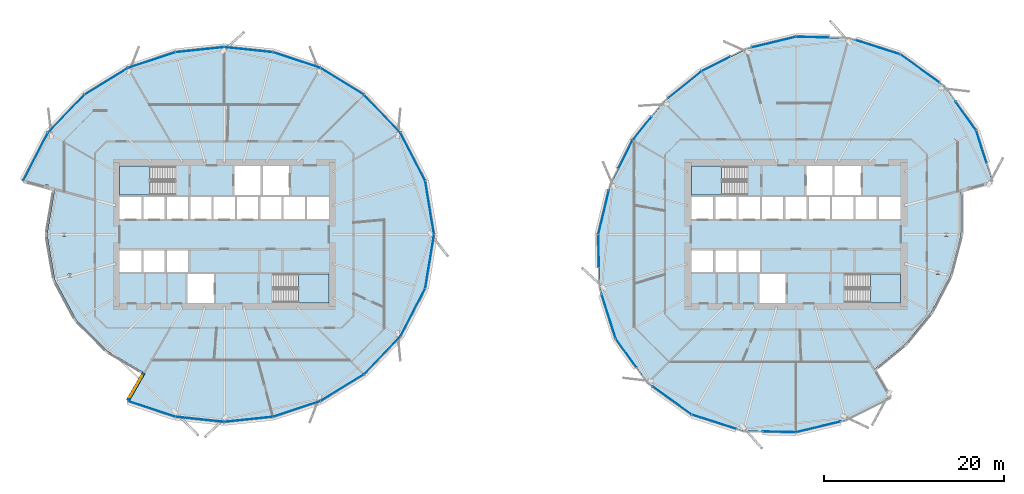
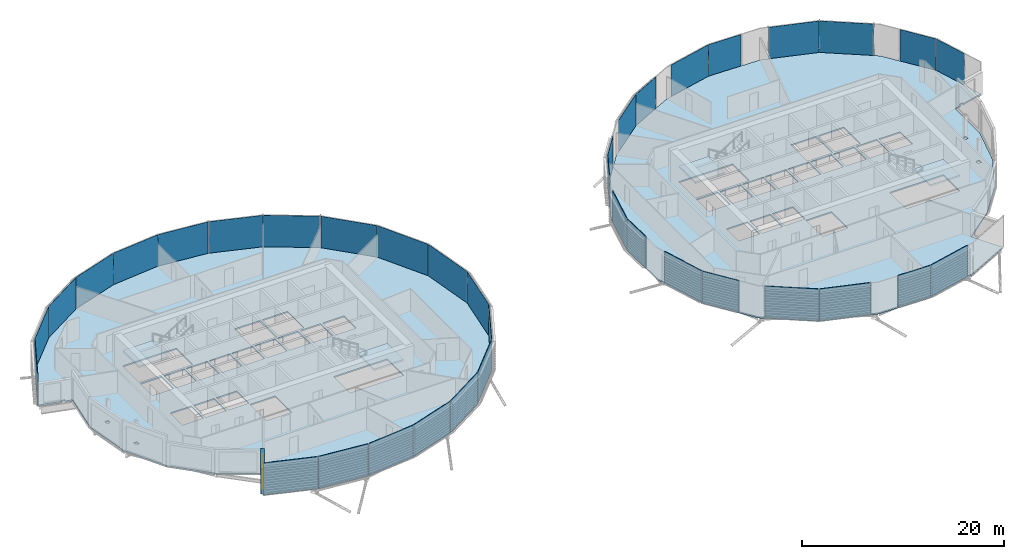
# One storey, part 20 of 39: 37 plates, 6 slabs, 1 wall, 1 window, 1 opening, 6 elements without a shape of their own.
"""IFC4 building model written with IfcOpenShell, lengths in metres."""

import ifcopenshell
import ifcopenshell.guid

model = None  # the IFC model being written
_history = None  # IfcOwnerHistory: only IFC2X3 demands one
_inside = {}  # id of a spatial element -> (the spatial element, [elements in it])
_under = {}  # id of a project, library or spatial element -> (it, [spatial elements below it])
_declared = {}  # id of a project -> (the project, [libraries it declares])
_typed = {}  # id of a type object -> (the type object, [elements of that type])
_made_of = {}  # id of a material, layer set ... -> (it, [elements and type objects made of it])


def new_model(schema):
    """Start an empty IFC model of exactly this schema.

    Asked for "IFC4X3", IfcOpenShell would pick the latest addendum, in which some entities
    have other attributes; the version numbers below select the first issue.
    IFC2X3 requires an IfcOwnerHistory on every rooted entity: one is made here for all.
    """
    global model, _history
    if schema == "IFC4X3":
        model = ifcopenshell.file(schema_version=(4, 3, 0, 0))
    else:
        model = ifcopenshell.file(schema=schema)
    _inside.clear()
    _under.clear()
    _declared.clear()
    _typed.clear()
    _made_of.clear()
    _history = None
    if model.schema == "IFC2X3":
        org = make("IfcOrganization", Name="unknown")
        user = make(
            "IfcPersonAndOrganization",
            ThePerson=make("IfcPerson", FamilyName="unknown"),
            TheOrganization=org,
        )
        app = make(
            "IfcApplication",
            ApplicationDeveloper=org,
            Version="unknown",
            ApplicationFullName="unknown",
            ApplicationIdentifier="unknown",
        )
        _history = make(
            "IfcOwnerHistory",
            OwningUser=user,
            OwningApplication=app,
            ChangeAction="ADDED",
            CreationDate=0,
        )
    return model


def make(cls, **values):
    """One entity of the class cls with the attributes given. An attribute that is None is left unset."""
    return model.create_entity(
        cls, **{name: value for name, value in values.items() if value is not None}
    )


def rooted(cls, **values):
    """An entity with a GlobalId (a new one), such as an element, a storey or a relation."""
    return make(cls, GlobalId=ifcopenshell.guid.new(), OwnerHistory=_history, **values)


def si_unit(unit_type, name, prefix=None):
    """IfcSIUnit, for example si_unit("LENGTHUNIT", "METRE", prefix="MILLI")."""
    return make("IfcSIUnit", UnitType=unit_type, Prefix=prefix, Name=name)


def assignment(units):
    """IfcUnitAssignment: the units of a project."""
    return None if units is None else make("IfcUnitAssignment", Units=units)


def point(xyz):
    """IfcCartesianPoint."""
    return None if xyz is None else make("IfcCartesianPoint", Coordinates=xyz)


def direction(xyz):
    """IfcDirection."""
    return None if xyz is None else make("IfcDirection", DirectionRatios=xyz)


def frame(location, z_axis=None, x_axis=None):
    """IfcAxis2Placement3D, a coordinate frame: its origin and axes. An axis left out is left unset."""
    return make(
        "IfcAxis2Placement3D",
        Location=point(location),
        Axis=direction(z_axis),
        RefDirection=direction(x_axis),
    )


def frame_2d(location, x_axis=None):
    """IfcAxis2Placement2D, a coordinate frame in the plane: its origin and x axis."""
    return make(
        "IfcAxis2Placement2D", Location=point(location), RefDirection=direction(x_axis)
    )


def origin():
    """The frame at (0, 0, 0) with its axes left unset."""
    return frame((0.0, 0.0, 0.0))


def origin_2d():
    """The frame at (0, 0) in the plane with its x axis left unset."""
    return frame_2d((0.0, 0.0))


def place(relative_to, where):
    """IfcLocalPlacement: puts the frame where relative to a parent placement (None: the world)."""
    return make(
        "IfcLocalPlacement", PlacementRelTo=relative_to, RelativePlacement=where
    )


def context(
    kind, dimensions, precision=None, world=None, true_north=None, identifier=None
):
    """IfcGeometricRepresentationContext, for example the 3D "Model" context."""
    return make(
        "IfcGeometricRepresentationContext",
        ContextIdentifier=identifier,
        ContextType=kind,
        CoordinateSpaceDimension=dimensions,
        Precision=precision,
        WorldCoordinateSystem=world,
        TrueNorth=true_north,
    )


def subcontext(parent, identifier, kind, view, scale=None):
    """IfcGeometricRepresentationSubContext, for example "Body" below "Model"."""
    return make(
        "IfcGeometricRepresentationSubContext",
        ContextIdentifier=identifier,
        ContextType=kind,
        ParentContext=parent,
        TargetScale=scale,
        TargetView=view,
    )


def project(units=None, contexts=None):
    """IfcProject with its units and contexts."""
    return rooted(
        "IfcProject",
        Name="project",
        RepresentationContexts=contexts,
        UnitsInContext=assignment(units),
    )


def spatial(cls, under=None, at=None, **own):
    """A site, building, storey or space (cls), placed at a placement, below another one or the project."""
    s = rooted(cls, ObjectPlacement=at, **own)
    if under is not None:
        _under.setdefault(under.id(), (under, []))[1].append(s)
    return s


def polyline(points):
    """IfcPolyline through the points."""
    return make("IfcPolyline", Points=[point(p) for p in points])


def profile(cls, at=None, kind="AREA", **sizes):
    """A parametric profile (cls). Its sizes go by their IFC names, for example OverallWidth=200.0."""
    return make(cls, ProfileType=kind, Position=at, **sizes)


def rectangle(**sizes):
    """IfcRectangleProfileDef."""
    return profile("IfcRectangleProfileDef", **sizes)


def outline(outer, holes=None, kind="AREA"):
    """IfcArbitraryClosedProfileDef: a profile drawn as a closed curve; with holes, ...WithVoids."""
    if holes is None:
        return make("IfcArbitraryClosedProfileDef", ProfileType=kind, OuterCurve=outer)
    return make(
        "IfcArbitraryProfileDefWithVoids",
        ProfileType=kind,
        OuterCurve=outer,
        InnerCurves=holes,
    )


def extrude(swept, where, along, depth):
    """IfcExtrudedAreaSolid: the profile swept, set in the frame where, extruded along a direction by depth."""
    return make(
        "IfcExtrudedAreaSolid",
        SweptArea=swept,
        Position=where,
        ExtrudedDirection=direction(along),
        Depth=depth,
    )


def shape(context_of_items, identifier, shape_type, items):
    """IfcShapeRepresentation: the items that make up one representation, for example the "Body"."""
    return make(
        "IfcShapeRepresentation",
        ContextOfItems=context_of_items,
        RepresentationIdentifier=identifier,
        RepresentationType=shape_type,
        Items=items,
    )


def material(Name=None, Category=None):
    """IfcMaterial."""
    return make("IfcMaterial", Name=Name, Category=Category)


def layer(
    of_material, thickness, ventilated=None, Name=None, Category=None, Priority=None
):
    """IfcMaterialLayer: one layer of a wall or slab, of a material (None: an air gap)."""
    return make(
        "IfcMaterialLayer",
        Material=of_material,
        LayerThickness=thickness,
        IsVentilated=ventilated,
        Name=Name,
        Category=Category,
        Priority=Priority,
    )


def layer_set(layers, Name=None):
    """IfcMaterialLayerSet."""
    return make("IfcMaterialLayerSet", MaterialLayers=layers, LayerSetName=Name)


def made_of(thing, what):
    """Note that an element or type object is made of a material, layer set ...; save() writes the relation."""
    if what is not None:
        _made_of.setdefault(what.id(), (what, []))[1].append(thing)
    return thing


def type_object(cls, material=None, **own):
    """A type object (cls), such as IfcWallType, which elements share."""
    return made_of(rooted(cls, **own), material)


def element(
    cls,
    number,
    at=None,
    inside=None,
    cuts=None,
    type_object=None,
    material=None,
    context=None,
    identifier="Body",
    shape_type=None,
    held_by="IfcProductDefinitionShape",
    body=None,
    shapes=None,
    **own,
):
    """One element of the class cls, such as IfcWall. Its Tag is "e" and its number.

    at: its placement. inside: the storey or other place that contains it. cuts: it is an
    opening in that element (IfcRelVoidsElement). A single representation is given by context,
    identifier, shape_type and body (its items); several are given by shapes. held_by: the class
    of the entity that holds the representations. save() writes the other relations.
    """
    e = rooted(cls, Tag="e%d" % number, ObjectPlacement=at, **own)
    if body is not None:
        shapes = [shape(context, identifier, shape_type, body)]
    if shapes is not None:
        e.Representation = make(held_by, Representations=shapes)
    if inside is not None:
        _inside.setdefault(inside.id(), (inside, []))[1].append(e)
    if cuts is not None:
        rooted(
            "IfcRelVoidsElement", RelatingBuildingElement=cuts, RelatedOpeningElement=e
        )
    if type_object is not None:
        _typed.setdefault(type_object.id(), (type_object, []))[1].append(e)
    return made_of(e, material)


def fill(opening, filler):
    """IfcRelFillsElement: the door or window that sits in an opening."""
    return rooted(
        "IfcRelFillsElement",
        RelatingOpeningElement=opening,
        RelatedBuildingElement=filler,
    )


def aggregate(whole, parts):
    """IfcRelAggregates: a whole, such as a stair, and the parts it consists of."""
    return rooted("IfcRelAggregates", RelatingObject=whole, RelatedObjects=parts)


def save(model, path):
    """Write the relations noted so far, then the file.

    IfcRelAggregates (storeys below a building ...), IfcRelContainedInSpatialStructure (elements
    in a storey), IfcRelDefinesByType, IfcRelAssociatesMaterial and IfcRelDeclares: one each for
    every whole, place, type object, material and project.
    """
    for whole, parts in _under.values():
        aggregate(whole, parts)
    for where, things in _inside.values():
        rooted(
            "IfcRelContainedInSpatialStructure",
            RelatedElements=things,
            RelatingStructure=where,
        )
    for kind, things in _typed.values():
        rooted("IfcRelDefinesByType", RelatedObjects=things, RelatingType=kind)
    for what, things in _made_of.values():
        rooted("IfcRelAssociatesMaterial", RelatedObjects=things, RelatingMaterial=what)
    for by, libraries in _declared.values():
        rooted("IfcRelDeclares", RelatingContext=by, RelatedDefinitions=libraries)
    model.write(path)


model = new_model("IFC4")

# Units and contexts
model_context = context("Model", 3, precision=1e-05, world=origin(), true_north=direction((0.0, 1.0)))
body_context = subcontext(model_context, "Body", "Model", "MODEL_VIEW")
ifc_project = project(units=[si_unit("LENGTHUNIT", "METRE"), si_unit("AREAUNIT", "SQUARE_METRE"), si_unit("VOLUMEUNIT", "CUBIC_METRE"), si_unit("PLANEANGLEUNIT", "RADIAN"), si_unit("MASSUNIT", "GRAM", prefix="KILO")], contexts=[model_context])

# Site, building, storey
site_placement = place(None, origin())
site = spatial("IfcSite", under=ifc_project, at=site_placement, CompositionType="ELEMENT")
building_placement = place(site_placement, origin())
building = spatial("IfcBuilding", under=site, at=building_placement, Name="Rimbun Link Towers", CompositionType="ELEMENT")
storey_placement = place(building_placement, frame((0.0, 0.0, 112.0)))
storey = spatial("IfcBuildingStorey", under=building, at=storey_placement, Name="L27", CompositionType="ELEMENT", Elevation=112.0)

# Slabs
ifc_material_1 = material(Name="Concrete C35/45", Category="concrete")
ifc_layer_1 = layer(ifc_material_1, 0.159912109375)
ifc_layer_set_1 = layer_set([ifc_layer_1], Name="COMPOSITE FLOOR 160")
slab_type_1 = type_object("IfcSlabType", Name="COMPOSITE FLOOR 160", PredefinedType="FLOOR", material=ifc_layer_set_1)
slab_1_placement = place(storey_placement, frame((0.0, 0.0, -0.159912109375)))
element("IfcSlab", 1, at=slab_1_placement, inside=storey, type_object=slab_type_1, Name="Floor slab T1 L27", PredefinedType="FLOOR", context=body_context, shape_type="SweptSolid", body=[
    extrude(outline(polyline([(-54.050048828125, 5.975341796875), (-51.30126953125, 11.287841796875), (-47.256591796875, 15.506591796875), (-42.41796875, 18.4775390625), (-37.167236328125, 20.217529296875), (-31.75, 20.7880859375), (-26.332763671875, 20.217529296875), (-21.08203125, 18.4775390625), (-16.243408203125, 15.506591796875), (-12.19873046875, 11.287841796875), (-9.449951171875, 5.975341796875), (-8.46728515625, 0.0), (-9.449951171875, -5.975341796875), (-12.19873046875, -11.287841796875), (-16.243408203125, -15.506591796875), (-21.08203125, -18.4775390625), (-26.332763671875, -20.217529296875), (-31.75, -20.7880859375), (-37.167236328125, -20.217529296875), (-42.41796875, -18.4775390625), (-40.617919921875, -15.35986328125), (-44.7109375, -12.9609375), (-48.18359375, -9.48779296875), (-50.57275390625, -5.04345703125), (-51.4326171875, 0.0), (-50.57275390625, 5.04345703125), (-51.259033203125, 5.227294921875), (-51.259033203125, 5.477783203125), (-51.658203125, 5.477783203125), (-51.658203125, 5.334228515625), (-54.050048828125, 5.975341796875)]), holes=[polyline([(-48.6826171875, -4.787353515625), (-48.6826171875, -4.393798828125), (-49.081787109375, -4.393798828125), (-49.081787109375, -4.787353515625), (-48.6826171875, -4.787353515625)]), polyline([(-40.95556640625, -4.14990234375), (-40.95556640625, -1.75), (-43.375, -1.75), (-43.375, -4.14990234375), (-40.95556640625, -4.14990234375)]), polyline([(-38.361083984375, -4.14990234375), (-38.361083984375, -1.75), (-40.70556640625, -1.75), (-40.70556640625, -4.14990234375), (-38.361083984375, -4.14990234375)]), polyline([(-38.111083984375, -4.14990234375), (-35.7666015625, -4.14990234375), (-35.7666015625, -1.75), (-38.111083984375, -1.75), (-38.111083984375, -4.14990234375)]), polyline([(-49.70751953125, -0.19677734375), (-49.30859375, -0.19677734375), (-49.30859375, 0.19677734375), (-49.70751953125, 0.19677734375), (-49.70751953125, -0.19677734375)]), polyline([(-40.95556640625, 1.75), (-40.95556640625, 4.14990234375), (-43.375, 4.14990234375), (-43.375, 1.75), (-40.95556640625, 1.75)]), polyline([(-38.361083984375, 1.75), (-38.361083984375, 4.14990234375), (-40.70556640625, 4.14990234375), (-40.70556640625, 1.75), (-38.361083984375, 1.75)]), polyline([(-35.7666015625, 1.75), (-35.7666015625, 4.14990234375), (-38.111083984375, 4.14990234375), (-38.111083984375, 1.75), (-35.7666015625, 1.75)]), polyline([(-43.375, 4.39990234375), (-37.260009765625, 4.39990234375), (-37.260009765625, 7.625), (-43.375, 7.625), (-43.375, 4.39990234375)]), polyline([(-32.89990234375, -7.625), (-32.89990234375, -4.39990234375), (-35.800048828125, -4.39990234375), (-35.800048828125, -7.625), (-32.89990234375, -7.625)]), polyline([(-20.125, -7.625), (-20.125, -4.39990234375), (-26.239990234375, -4.39990234375), (-26.239990234375, -7.625), (-20.125, -7.625)]), polyline([(-33.172119140625, 1.75), (-33.172119140625, 4.14990234375), (-35.5166015625, 4.14990234375), (-35.5166015625, 1.75), (-33.172119140625, 1.75)]), polyline([(-32.922119140625, 1.75), (-30.577880859375, 1.75), (-30.577880859375, 4.14990234375), (-32.922119140625, 4.14990234375), (-32.922119140625, 1.75)]), polyline([(-30.327880859375, 1.75), (-27.9833984375, 1.75), (-27.9833984375, 4.14990234375), (-30.327880859375, 4.14990234375), (-30.327880859375, 1.75)]), polyline([(-25.388916015625, 1.75), (-25.388916015625, 4.14990234375), (-27.7333984375, 4.14990234375), (-27.7333984375, 1.75), (-25.388916015625, 1.75)]), polyline([(-22.79443359375, 1.75), (-22.79443359375, 4.14990234375), (-25.138916015625, 4.14990234375), (-25.138916015625, 1.75), (-22.79443359375, 1.75)]), polyline([(-20.125, 1.75), (-20.125, 4.14990234375), (-22.54443359375, 4.14990234375), (-22.54443359375, 1.75), (-20.125, 1.75)]), polyline([(-30.60009765625, 4.39990234375), (-27.699951171875, 4.39990234375), (-27.699951171875, 7.625), (-30.60009765625, 7.625), (-30.60009765625, 4.39990234375)]), polyline([(-27.449951171875, 4.39990234375), (-24.550048828125, 4.39990234375), (-24.550048828125, 7.625), (-27.449951171875, 7.625), (-27.449951171875, 4.39990234375)])]), origin(), (0.0, 0.0, 1.0), 0.159912109375),
])
slab_2_placement = place(storey_placement, frame((0.0, 0.0, -0.159912109375)))
element("IfcSlab", 2, at=slab_2_placement, inside=storey, type_object=slab_type_1, Name="Floor slab T2 L27", PredefinedType="FLOOR", context=body_context, shape_type="SweptSolid", body=[
    extrude(outline(polyline([(50.0791015625, 4.911376953125), (50.07958984375, 0.0), (48.881591796875, -4.59033203125), (46.7587890625, -8.665283203125), (43.90380859375, -12.15380859375), (40.415283203125, -15.0087890625), (42.21533203125, -18.12646484375), (37.272216796875, -20.60888671875), (31.75, -21.9296875), (25.906982421875, -21.806396484375), (20.20654296875, -19.99365234375), (15.28662109375, -16.46337890625), (11.75634765625, -11.54345703125), (9.943603515625, -5.843017578125), (9.8203125, 0.0), (11.14111328125, 5.522216796875), (13.62353515625, 10.46533203125), (17.050537109375, 14.699462890625), (21.28466796875, 18.12646484375), (26.227783203125, 20.60888671875), (31.75, 21.9296875), (37.593017578125, 21.806396484375), (43.29345703125, 19.99365234375), (48.21337890625, 16.46337890625), (51.74365234375, 11.54345703125), (53.556396484375, 5.843017578125), (51.240234375, 5.222412109375), (51.240234375, 5.36572265625), (50.84130859375, 5.36572265625), (50.84130859375, 5.115478515625), (50.0791015625, 4.911376953125)]), holes=[polyline([(30.60009765625, -7.625), (30.60009765625, -4.39990234375), (27.699951171875, -4.39990234375), (27.699951171875, -7.625), (30.60009765625, -7.625)]), polyline([(22.54443359375, -4.14990234375), (22.54443359375, -1.75), (20.125, -1.75), (20.125, -4.14990234375), (22.54443359375, -4.14990234375)]), polyline([(25.138916015625, -4.14990234375), (25.138916015625, -1.75), (22.79443359375, -1.75), (22.79443359375, -4.14990234375), (25.138916015625, -4.14990234375)]), polyline([(25.388916015625, -4.14990234375), (27.7333984375, -4.14990234375), (27.7333984375, -1.75), (25.388916015625, -1.75), (25.388916015625, -4.14990234375)]), polyline([(20.125, 1.75), (22.54443359375, 1.75), (22.54443359375, 4.14990234375), (20.125, 4.14990234375), (20.125, 1.75)]), polyline([(25.138916015625, 1.75), (25.138916015625, 4.14990234375), (22.79443359375, 4.14990234375), (22.79443359375, 1.75), (25.138916015625, 1.75)]), polyline([(27.7333984375, 1.75), (27.7333984375, 4.14990234375), (25.388916015625, 4.14990234375), (25.388916015625, 1.75), (27.7333984375, 1.75)]), polyline([(30.327880859375, 1.75), (30.327880859375, 4.14990234375), (27.9833984375, 4.14990234375), (27.9833984375, 1.75), (30.327880859375, 1.75)]), polyline([(30.577880859375, 1.75), (32.922119140625, 1.75), (32.922119140625, 4.14990234375), (30.577880859375, 4.14990234375), (30.577880859375, 1.75)]), polyline([(20.125, 4.39990234375), (26.239990234375, 4.39990234375), (26.239990234375, 7.625), (20.125, 7.625), (20.125, 4.39990234375)]), polyline([(43.375, -7.625), (43.375, -4.39990234375), (37.260009765625, -4.39990234375), (37.260009765625, -7.625), (43.375, -7.625)]), polyline([(47.690185546875, -4.41455078125), (47.690185546875, -4.02099609375), (47.291259765625, -4.02099609375), (47.291259765625, -4.41455078125), (47.690185546875, -4.41455078125)]), polyline([(48.62451171875, -0.19677734375), (48.62451171875, 0.19677734375), (48.225341796875, 0.19677734375), (48.225341796875, -0.19677734375), (48.62451171875, -0.19677734375)]), polyline([(33.172119140625, 1.75), (35.5166015625, 1.75), (35.5166015625, 4.14990234375), (33.172119140625, 4.14990234375), (33.172119140625, 1.75)]), polyline([(35.7666015625, 1.75), (38.111083984375, 1.75), (38.111083984375, 4.14990234375), (35.7666015625, 4.14990234375), (35.7666015625, 1.75)]), polyline([(40.70556640625, 1.75), (40.70556640625, 4.14990234375), (38.361083984375, 4.14990234375), (38.361083984375, 1.75), (40.70556640625, 1.75)]), polyline([(43.375, 1.75), (43.375, 4.14990234375), (40.95556640625, 4.14990234375), (40.95556640625, 1.75), (43.375, 1.75)]), polyline([(32.89990234375, 4.39990234375), (35.800048828125, 4.39990234375), (35.800048828125, 7.625), (32.89990234375, 7.625), (32.89990234375, 4.39990234375)]), polyline([(36.050048828125, 4.39990234375), (38.949951171875, 4.39990234375), (38.949951171875, 7.625), (36.050048828125, 7.625), (36.050048828125, 4.39990234375)])]), origin(), (0.0, 0.0, 1.0), 0.159912109375),
])

# Curtain wall, plates
ifc_material_2 = material(Name="Aluminium 6063-T6 and low-iron glass", Category="aluminium")
curtain_wall_type = type_object("IfcCurtainWallType", Name="CW1-Z2 unitised vision wall (zone 2)", PredefinedType="NOTDEFINED", material=ifc_material_2)
curtain_wall_1_placement = place(storey_placement, origin())
curtain_wall_1 = element("IfcCurtainWall", 3, at=curtain_wall_1_placement, inside=storey, type_object=curtain_wall_type, Name="CW1 L27 T1", PredefinedType="NOTDEFINED")
ifc_material_3 = material(Name="Low-iron glass, laminated low-e unit", Category="glass")
ifc_layer_2 = layer(ifc_material_3, 0.028076171875)
ifc_layer_set_2 = layer_set([ifc_layer_2], Name="CW1 panel Low-iron glass 28")
plate_type = type_object("IfcPlateType", Name="CW1 panel Low-iron glass 28", PredefinedType="CURTAIN_PANEL", material=ifc_layer_set_2)
plate_1_placement = place(storey_placement, frame((-8.94482421875, 2.989990234375, 0.0), z_axis=(0.0, 0.0, 1.0), x_axis=(0.162248230183, -0.986749974311, 0.0)))
plate_1 = element("IfcPlate", 4, at=plate_1_placement, type_object=plate_type, Name="CW1 panel", PredefinedType="CURTAIN_PANEL", context=body_context, shape_type="SweptSolid", body=[
    extrude(rectangle(XDim=6.015625, YDim=0.028076171875, at=origin_2d()), origin(), (0.0, 0.0, 1.0), 3.800048828125),
])
plate_2_placement = place(storey_placement, frame((-10.81201171875, 8.637939453125, 0.0), z_axis=(0.0, 0.0, 1.0), x_axis=(0.459555260307, -0.888149178193, 0.0)))
plate_2 = element("IfcPlate", 5, at=plate_2_placement, type_object=plate_type, Name="CW1 panel", PredefinedType="CURTAIN_PANEL", context=body_context, shape_type="SweptSolid", body=[
    extrude(rectangle(XDim=5.941650390625, YDim=0.028076171875, at=origin_2d()), origin(), (0.0, 0.0, 1.0), 3.800048828125),
])
plate_3_placement = place(storey_placement, frame((-14.2109375, 13.406982421875, 0.0), z_axis=(0.0, 0.0, 1.0), x_axis=(0.692055116379, -0.721844661886, 0.0)))
plate_3 = element("IfcPlate", 6, at=plate_3_placement, type_object=plate_type, Name="CW1 panel", PredefinedType="CURTAIN_PANEL", context=body_context, shape_type="SweptSolid", body=[
    extrude(rectangle(XDim=5.804443359375, YDim=0.028076171875, at=origin_2d()), origin(), (0.0, 0.0, 1.0), 3.800048828125),
])
plate_4_placement = place(storey_placement, frame((-18.6552734375, 17.00390625, 0.0), z_axis=(0.0, 0.0, 1.0), x_axis=(0.852184590101, -0.523241267863, 0.0)))
plate_4 = element("IfcPlate", 7, at=plate_4_placement, type_object=plate_type, Name="CW1 panel", PredefinedType="CURTAIN_PANEL", context=body_context, shape_type="SweptSolid", body=[
    extrude(rectangle(XDim=5.637939453125, YDim=0.028076171875, at=origin_2d()), origin(), (0.0, 0.0, 1.0), 3.800048828125),
])
plate_5_placement = place(storey_placement, frame((-23.702880859375, 19.36083984375, 0.0), z_axis=(0.0, 0.0, 1.0), x_axis=(0.949236840481, -0.314562268358, 0.0)))
plate_5 = element("IfcPlate", 8, at=plate_5_placement, type_object=plate_type, Name="CW1 panel", PredefinedType="CURTAIN_PANEL", context=body_context, shape_type="SweptSolid", body=[
    extrude(rectangle(XDim=5.491455078125, YDim=0.028076171875, at=origin_2d()), origin(), (0.0, 0.0, 1.0), 3.800048828125),
])
plate_6_placement = place(storey_placement, frame((-29.039794921875, 20.5166015625, 0.0), z_axis=(0.0, 0.0, 1.0), x_axis=(0.994500522859, -0.104731609524, 0.0)))
plate_6 = element("IfcPlate", 9, at=plate_6_placement, type_object=plate_type, Name="CW1 panel", PredefinedType="CURTAIN_PANEL", context=body_context, shape_type="SweptSolid", body=[
    extrude(rectangle(XDim=5.4072265625, YDim=0.028076171875, at=origin_2d()), origin(), (0.0, 0.0, 1.0), 3.800048828125),
])
plate_7_placement = place(storey_placement, frame((-34.460205078125, 20.5166015625, 0.0), z_axis=(0.0, 0.0, 1.0), x_axis=(0.994500522859, 0.104731609524, 0.0)))
plate_7 = element("IfcPlate", 10, at=plate_7_placement, type_object=plate_type, Name="CW1 panel", PredefinedType="CURTAIN_PANEL", context=body_context, shape_type="SweptSolid", body=[
    extrude(rectangle(XDim=5.4072265625, YDim=0.028076171875, at=origin_2d()), origin(), (0.0, 0.0, 1.0), 3.800048828125),
])
plate_8_placement = place(storey_placement, frame((-39.797119140625, 19.36083984375, 0.0), z_axis=(0.0, 0.0, 1.0), x_axis=(0.949236840481, 0.314562268358, 0.0)))
plate_8 = element("IfcPlate", 11, at=plate_8_placement, type_object=plate_type, Name="CW1 panel", PredefinedType="CURTAIN_PANEL", context=body_context, shape_type="SweptSolid", body=[
    extrude(rectangle(XDim=5.491455078125, YDim=0.028076171875, at=origin_2d()), origin(), (0.0, 0.0, 1.0), 3.800048828125),
])
plate_9_placement = place(storey_placement, frame((-44.8447265625, 17.00390625, 0.0), z_axis=(0.0, 0.0, 1.0), x_axis=(0.852184590101, 0.523241267863, 0.0)))
plate_9 = element("IfcPlate", 12, at=plate_9_placement, type_object=plate_type, Name="CW1 panel", PredefinedType="CURTAIN_PANEL", context=body_context, shape_type="SweptSolid", body=[
    extrude(rectangle(XDim=5.637939453125, YDim=0.028076171875, at=origin_2d()), origin(), (0.0, 0.0, 1.0), 3.800048828125),
])
plate_10_placement = place(storey_placement, frame((-49.2890625, 13.406982421875, 0.0), z_axis=(0.0, 0.0, 1.0), x_axis=(0.692055116379, 0.721844661886, 0.0)))
plate_10 = element("IfcPlate", 13, at=plate_10_placement, type_object=plate_type, Name="CW1 panel", PredefinedType="CURTAIN_PANEL", context=body_context, shape_type="SweptSolid", body=[
    extrude(rectangle(XDim=5.804443359375, YDim=0.028076171875, at=origin_2d()), origin(), (0.0, 0.0, 1.0), 3.800048828125),
])
plate_11_placement = place(storey_placement, frame((-52.68798828125, 8.637939453125, 0.0), z_axis=(0.0, 0.0, 1.0), x_axis=(0.459555260307, 0.888149178193, 0.0)))
plate_11 = element("IfcPlate", 14, at=plate_11_placement, type_object=plate_type, Name="CW1 panel", PredefinedType="CURTAIN_PANEL", context=body_context, shape_type="SweptSolid", body=[
    extrude(rectangle(XDim=5.941650390625, YDim=0.028076171875, at=origin_2d()), origin(), (0.0, 0.0, 1.0), 3.800048828125),
])
plate_12_placement = place(storey_placement, frame((-39.797119140625, -19.36083984375, 0.0), z_axis=(0.0, 0.0, 1.0), x_axis=(-0.949236840481, 0.314562268358, 0.0)))
plate_12 = element("IfcPlate", 15, at=plate_12_placement, type_object=plate_type, Name="CW1 panel", PredefinedType="CURTAIN_PANEL", context=body_context, shape_type="SweptSolid", body=[
    extrude(rectangle(XDim=5.491455078125, YDim=0.028076171875, at=origin_2d()), origin(), (0.0, 0.0, 1.0), 3.800048828125),
])
plate_13_placement = place(storey_placement, frame((-34.460205078125, -20.5166015625, 0.0), z_axis=(0.0, 0.0, 1.0), x_axis=(-0.994500522859, 0.104731609524, 0.0)))
plate_13 = element("IfcPlate", 16, at=plate_13_placement, type_object=plate_type, Name="CW1 panel", PredefinedType="CURTAIN_PANEL", context=body_context, shape_type="SweptSolid", body=[
    extrude(rectangle(XDim=5.4072265625, YDim=0.028076171875, at=origin_2d()), origin(), (0.0, 0.0, 1.0), 3.800048828125),
])
plate_14_placement = place(storey_placement, frame((-29.039794921875, -20.5166015625, 0.0), z_axis=(0.0, 0.0, 1.0), x_axis=(-0.994500522859, -0.104731609524, 0.0)))
plate_14 = element("IfcPlate", 17, at=plate_14_placement, type_object=plate_type, Name="CW1 panel", PredefinedType="CURTAIN_PANEL", context=body_context, shape_type="SweptSolid", body=[
    extrude(rectangle(XDim=5.4072265625, YDim=0.028076171875, at=origin_2d()), origin(), (0.0, 0.0, 1.0), 3.800048828125),
])
plate_15_placement = place(storey_placement, frame((-23.702880859375, -19.36083984375, 0.0), z_axis=(0.0, 0.0, 1.0), x_axis=(-0.949236840481, -0.314562268358, 0.0)))
plate_15 = element("IfcPlate", 18, at=plate_15_placement, type_object=plate_type, Name="CW1 panel", PredefinedType="CURTAIN_PANEL", context=body_context, shape_type="SweptSolid", body=[
    extrude(rectangle(XDim=5.491455078125, YDim=0.028076171875, at=origin_2d()), origin(), (0.0, 0.0, 1.0), 3.800048828125),
])
plate_16_placement = place(storey_placement, frame((-18.6552734375, -17.00390625, 0.0), z_axis=(0.0, 0.0, 1.0), x_axis=(-0.852184590101, -0.523241267863, 0.0)))
plate_16 = element("IfcPlate", 19, at=plate_16_placement, type_object=plate_type, Name="CW1 panel", PredefinedType="CURTAIN_PANEL", context=body_context, shape_type="SweptSolid", body=[
    extrude(rectangle(XDim=5.637939453125, YDim=0.028076171875, at=origin_2d()), origin(), (0.0, 0.0, 1.0), 3.800048828125),
])
plate_17_placement = place(storey_placement, frame((-14.2109375, -13.406982421875, 0.0), z_axis=(0.0, 0.0, 1.0), x_axis=(-0.692055116379, -0.721844661886, 0.0)))
plate_17 = element("IfcPlate", 20, at=plate_17_placement, type_object=plate_type, Name="CW1 panel", PredefinedType="CURTAIN_PANEL", context=body_context, shape_type="SweptSolid", body=[
    extrude(rectangle(XDim=5.804443359375, YDim=0.028076171875, at=origin_2d()), origin(), (0.0, 0.0, 1.0), 3.800048828125),
])
plate_18_placement = place(storey_placement, frame((-10.81201171875, -8.637939453125, 0.0), z_axis=(0.0, 0.0, 1.0), x_axis=(-0.459555260307, -0.888149178193, 0.0)))
plate_18 = element("IfcPlate", 21, at=plate_18_placement, type_object=plate_type, Name="CW1 panel", PredefinedType="CURTAIN_PANEL", context=body_context, shape_type="SweptSolid", body=[
    extrude(rectangle(XDim=5.941650390625, YDim=0.028076171875, at=origin_2d()), origin(), (0.0, 0.0, 1.0), 3.800048828125),
])
plate_19_placement = place(storey_placement, frame((-8.94482421875, -2.989990234375, 0.0), z_axis=(0.0, 0.0, 1.0), x_axis=(-0.162248230183, -0.986749974311, 0.0)))
plate_19 = element("IfcPlate", 22, at=plate_19_placement, type_object=plate_type, Name="CW1 panel", PredefinedType="CURTAIN_PANEL", context=body_context, shape_type="SweptSolid", body=[
    extrude(rectangle(XDim=6.015625, YDim=0.028076171875, at=origin_2d()), origin(), (0.0, 0.0, 1.0), 3.800048828125),
])
aggregate(curtain_wall_1, [plate_1, plate_2, plate_3, plate_4, plate_5, plate_6, plate_7, plate_8, plate_9, plate_10, plate_11, plate_12, plate_13, plate_14, plate_15, plate_16, plate_17, plate_18, plate_19])

curtain_wall_2_placement = place(storey_placement, origin())
curtain_wall_2 = element("IfcCurtainWall", 23, at=curtain_wall_2_placement, inside=storey, type_object=curtain_wall_type, Name="CW1 L27 T2", PredefinedType="NOTDEFINED")
plate_20_placement = place(storey_placement, frame((45.49755859375, 18.429443359375, 0.0), z_axis=(0.0, 0.0, 1.0), x_axis=(0.812467340473, -0.583006707221, 0.0)))
plate_20 = element("IfcPlate", 24, at=plate_20_placement, type_object=plate_type, Name="CW1 panel", PredefinedType="CURTAIN_PANEL", context=body_context, shape_type="SweptSolid", body=[
    extrude(rectangle(XDim=5.365478515625, YDim=0.028076171875, at=origin_2d()), origin(), (0.0, 0.0, 1.0), 3.800048828125),
])
plate_21_placement = place(storey_placement, frame((40.82861328125, 20.792236328125, 0.0), z_axis=(0.0, 0.0, 1.0), x_axis=(0.952972314709, -0.303057366512, 0.0)))
plate_21 = element("IfcPlate", 25, at=plate_21_placement, type_object=plate_type, Name="CW1 panel", PredefinedType="CURTAIN_PANEL", context=body_context, shape_type="SweptSolid", body=[
    extrude(rectangle(XDim=5.1416015625, YDim=0.028076171875, at=origin_2d()), origin(), (0.0, 0.0, 1.0), 3.800048828125),
])
plate_22_placement = place(storey_placement, frame((33.596923828125, 21.90478515625, 0.0), z_axis=(0.0, 0.0, 1.0), x_axis=(0.999778144708, -0.021063270517, 0.0)))
plate_22 = element("IfcPlate", 26, at=plate_22_placement, type_object=plate_type, Name="CW1 panel", PredefinedType="CURTAIN_PANEL", context=body_context, shape_type="SweptSolid", body=[
    extrude(rectangle(XDim=3.654296875, YDim=0.028076171875, at=origin_2d()), origin(), (0.0, 0.0, 1.0), 3.800048828125),
])
plate_23_placement = place(storey_placement, frame((29.27734375, 21.352783203125, 0.0), z_axis=(0.0, 0.0, 1.0), x_axis=(0.972575947038, 0.232585526726, 0.0)))
plate_23 = element("IfcPlate", 27, at=plate_23_placement, type_object=plate_type, Name="CW1 panel", PredefinedType="CURTAIN_PANEL", context=body_context, shape_type="SweptSolid", body=[
    extrude(rectangle(XDim=5.037841796875, YDim=0.028076171875, at=origin_2d()), origin(), (0.0, 0.0, 1.0), 3.800048828125),
])
plate_24_placement = place(storey_placement, frame((22.878662109375, 18.942626953125, 0.0), z_axis=(0.0, 0.0, 1.0), x_axis=(0.893637595797, 0.448789312905, 0.0)))
plate_24 = element("IfcPlate", 28, at=plate_24_placement, type_object=plate_type, Name="CW1 panel", PredefinedType="CURTAIN_PANEL", context=body_context, shape_type="SweptSolid", body=[
    extrude(rectangle(XDim=3.54150390625, YDim=0.028076171875, at=origin_2d()), origin(), (0.0, 0.0, 1.0), 3.800048828125),
])
plate_25_placement = place(storey_placement, frame((19.411376953125, 16.62841796875, 0.0), z_axis=(0.0, 0.0, 1.0), x_axis=(0.777282918383, 0.629151225693, 0.0)))
plate_25 = element("IfcPlate", 29, at=plate_25_placement, type_object=plate_type, Name="CW1 panel", PredefinedType="CURTAIN_PANEL", context=body_context, shape_type="SweptSolid", body=[
    extrude(rectangle(XDim=4.757080078125, YDim=0.028076171875, at=origin_2d()), origin(), (0.0, 0.0, 1.0), 3.800048828125),
])
plate_26_placement = place(storey_placement, frame((14.66552734375, 11.775146484375, 0.0), z_axis=(0.0, 0.0, 1.0), x_axis=(0.629151225693, 0.777282918383, 0.0)))
plate_26 = element("IfcPlate", 30, at=plate_26_placement, type_object=plate_type, Name="CW1 panel", PredefinedType="CURTAIN_PANEL", context=body_context, shape_type="SweptSolid", body=[
    extrude(rectangle(XDim=3.30712890625, YDim=0.028076171875, at=origin_2d()), origin(), (0.0, 0.0, 1.0), 3.800048828125),
])
plate_27_placement = place(storey_placement, frame((12.818603515625, 8.893798828125, 0.0), z_axis=(0.0, 0.0, 1.0), x_axis=(0.448789312905, 0.893637595797, 0.0)))
plate_27 = element("IfcPlate", 31, at=plate_27_placement, type_object=plate_type, Name="CW1 panel", PredefinedType="CURTAIN_PANEL", context=body_context, shape_type="SweptSolid", body=[
    extrude(rectangle(XDim=3.491455078125, YDim=0.028076171875, at=origin_2d()), origin(), (0.0, 0.0, 1.0), 3.800048828125),
])
plate_28_placement = place(storey_placement, frame((10.397216796875, 2.47265625, 0.0), z_axis=(0.0, 0.0, 1.0), x_axis=(0.232585526726, 0.972575947038, 0.0)))
plate_28 = element("IfcPlate", 32, at=plate_28_placement, type_object=plate_type, Name="CW1 panel", PredefinedType="CURTAIN_PANEL", context=body_context, shape_type="SweptSolid", body=[
    extrude(rectangle(XDim=5.037841796875, YDim=0.028076171875, at=origin_2d()), origin(), (0.0, 0.0, 1.0), 3.800048828125),
])
plate_29_placement = place(storey_placement, frame((9.8447265625, -1.822021484375, 0.0), z_axis=(0.0, 0.0, 1.0), x_axis=(-0.021063270517, 0.999778144708, 0.0)))
plate_29 = element("IfcPlate", 33, at=plate_29_placement, type_object=plate_type, Name="CW1 panel", PredefinedType="CURTAIN_PANEL", context=body_context, shape_type="SweptSolid", body=[
    extrude(rectangle(XDim=3.604248046875, YDim=0.028076171875, at=origin_2d()), origin(), (0.0, 0.0, 1.0), 3.800048828125),
])
plate_30_placement = place(storey_placement, frame((10.96533203125, -9.1025390625, 0.0), z_axis=(0.0, 0.0, 1.0), x_axis=(-0.303057366512, 0.952972314709, 0.0)))
plate_30 = element("IfcPlate", 34, at=plate_30_placement, type_object=plate_type, Name="CW1 panel", PredefinedType="CURTAIN_PANEL", context=body_context, shape_type="SweptSolid", body=[
    extrude(rectangle(XDim=5.091796875, YDim=0.028076171875, at=origin_2d()), origin(), (0.0, 0.0, 1.0), 3.800048828125),
])
plate_31_placement = place(storey_placement, frame((12.89794921875, -13.158447265625, 0.0), z_axis=(0.0, 0.0, 1.0), x_axis=(-0.583006707221, 0.812467340473, 0.0)))
plate_31 = element("IfcPlate", 35, at=plate_31_placement, type_object=plate_type, Name="CW1 panel", PredefinedType="CURTAIN_PANEL", context=body_context, shape_type="SweptSolid", body=[
    extrude(rectangle(XDim=3.91552734375, YDim=0.028076171875, at=origin_2d()), origin(), (0.0, 0.0, 1.0), 3.800048828125),
])
plate_32_placement = place(storey_placement, frame((18.00244140625, -18.429443359375, 0.0), z_axis=(0.0, 0.0, 1.0), x_axis=(-0.812467340473, 0.583006707221, 0.0)))
plate_32 = element("IfcPlate", 36, at=plate_32_placement, type_object=plate_type, Name="CW1 panel", PredefinedType="CURTAIN_PANEL", context=body_context, shape_type="SweptSolid", body=[
    extrude(rectangle(XDim=5.365478515625, YDim=0.028076171875, at=origin_2d()), origin(), (0.0, 0.0, 1.0), 3.800048828125),
])
plate_33_placement = place(storey_placement, frame((22.67138671875, -20.792236328125, 0.0), z_axis=(0.0, 0.0, 1.0), x_axis=(-0.952972314709, 0.303057366512, 0.0)))
plate_33 = element("IfcPlate", 37, at=plate_33_placement, type_object=plate_type, Name="CW1 panel", PredefinedType="CURTAIN_PANEL", context=body_context, shape_type="SweptSolid", body=[
    extrude(rectangle(XDim=5.1416015625, YDim=0.028076171875, at=origin_2d()), origin(), (0.0, 0.0, 1.0), 3.800048828125),
])
plate_34_placement = place(storey_placement, frame((29.903076171875, -21.90478515625, 0.0), z_axis=(0.0, 0.0, 1.0), x_axis=(-0.999778144708, 0.021063270517, 0.0)))
plate_34 = element("IfcPlate", 38, at=plate_34_placement, type_object=plate_type, Name="CW1 panel", PredefinedType="CURTAIN_PANEL", context=body_context, shape_type="SweptSolid", body=[
    extrude(rectangle(XDim=3.654296875, YDim=0.028076171875, at=origin_2d()), origin(), (0.0, 0.0, 1.0), 3.800048828125),
])
plate_35_placement = place(storey_placement, frame((34.22265625, -21.352783203125, 0.0), z_axis=(0.0, 0.0, 1.0), x_axis=(-0.972575947038, -0.232585526726, 0.0)))
plate_35 = element("IfcPlate", 39, at=plate_35_placement, type_object=plate_type, Name="CW1 panel", PredefinedType="CURTAIN_PANEL", context=body_context, shape_type="SweptSolid", body=[
    extrude(rectangle(XDim=5.037841796875, YDim=0.028076171875, at=origin_2d()), origin(), (0.0, 0.0, 1.0), 3.800048828125),
])
plate_36_placement = place(storey_placement, frame((52.330078125, 9.74560546875, 0.0), z_axis=(0.0, 0.0, 1.0), x_axis=(0.303057366512, -0.952972314709, 0.0)))
plate_36 = element("IfcPlate", 40, at=plate_36_placement, type_object=plate_type, Name="CW1 panel", PredefinedType="CURTAIN_PANEL", context=body_context, shape_type="SweptSolid", body=[
    extrude(rectangle(XDim=3.74169921875, YDim=0.028076171875, at=origin_2d()), origin(), (0.0, 0.0, 1.0), 3.800048828125),
])
plate_37_placement = place(storey_placement, frame((50.60205078125, 13.158447265625, 0.0), z_axis=(0.0, 0.0, 1.0), x_axis=(0.583006707221, -0.812467340473, 0.0)))
plate_37 = element("IfcPlate", 41, at=plate_37_placement, type_object=plate_type, Name="CW1 panel", PredefinedType="CURTAIN_PANEL", context=body_context, shape_type="SweptSolid", body=[
    extrude(rectangle(XDim=3.91552734375, YDim=0.028076171875, at=origin_2d()), origin(), (0.0, 0.0, 1.0), 3.800048828125),
])
aggregate(curtain_wall_2, [plate_20, plate_21, plate_22, plate_23, plate_24, plate_25, plate_26, plate_27, plate_28, plate_29, plate_30, plate_31, plate_32, plate_33, plate_34, plate_35, plate_36, plate_37])

# Stair, slab
ifc_material_4 = material(Name="Concrete C40/50", Category="concrete")
stair_type = type_object("IfcStairType", Name="Exit stair 3800 rise", PredefinedType="HALF_TURN_STAIR", material=ifc_material_4)
stair_1_placement = place(storey_placement, origin())
stair_1 = element("IfcStair", 42, at=stair_1_placement, inside=storey, type_object=stair_type, Name="L27 EXIT STAIR A", PredefinedType="HALF_TURN_STAIR")
ifc_material_5 = material(Name="Concrete C40/50", Category="concrete")
ifc_layer_3 = layer(ifc_material_5, 0.199951171875)
ifc_layer_set_3 = layer_set([ifc_layer_3], Name="Stair landing")
slab_type_2 = type_object("IfcSlabType", Name="Stair landing", PredefinedType="LANDING", material=ifc_layer_set_3)
slab_3_placement = place(storey_placement, frame((0.0, 0.0, 1.699951171875)))
slab_3 = element("IfcSlab", 43, at=slab_3_placement, type_object=slab_type_2, Name="ST1 landing 1", PredefinedType="LANDING", context=body_context, shape_type="SweptSolid", body=[
    extrude(outline(polyline([(-40.0, 7.625), (-43.375, 7.625), (-43.375, 4.39990234375), (-40.0, 4.39990234375), (-40.0, 7.625)])), origin(), (0.0, 0.0, 1.0), 0.199951171875),
])
aggregate(stair_1, [slab_3])

stair_2_placement = place(storey_placement, origin())
stair_2 = element("IfcStair", 44, at=stair_2_placement, inside=storey, type_object=stair_type, Name="L27 EXIT STAIR B", PredefinedType="HALF_TURN_STAIR")
slab_4_placement = place(storey_placement, frame((0.0, 0.0, 1.699951171875)))
slab_4 = element("IfcSlab", 45, at=slab_4_placement, type_object=slab_type_2, Name="ST2 landing 1", PredefinedType="LANDING", context=body_context, shape_type="SweptSolid", body=[
    extrude(outline(polyline([(-23.5, -7.625), (-20.125, -7.625), (-20.125, -4.39990234375), (-23.5, -4.39990234375), (-23.5, -7.625)])), origin(), (0.0, 0.0, 1.0), 0.199951171875),
])
aggregate(stair_2, [slab_4])

stair_3_placement = place(storey_placement, origin())
stair_3 = element("IfcStair", 46, at=stair_3_placement, inside=storey, type_object=stair_type, Name="L27 EXIT STAIR A", PredefinedType="HALF_TURN_STAIR")
slab_5_placement = place(storey_placement, frame((0.0, 0.0, 1.699951171875)))
slab_5 = element("IfcSlab", 47, at=slab_5_placement, type_object=slab_type_2, Name="ST3 landing 1", PredefinedType="LANDING", context=body_context, shape_type="SweptSolid", body=[
    extrude(outline(polyline([(23.5, 7.625), (20.125, 7.625), (20.125, 4.39990234375), (23.5, 4.39990234375), (23.5, 7.625)])), origin(), (0.0, 0.0, 1.0), 0.199951171875),
])
aggregate(stair_3, [slab_5])

stair_4_placement = place(storey_placement, origin())
stair_4 = element("IfcStair", 48, at=stair_4_placement, inside=storey, type_object=stair_type, Name="L27 EXIT STAIR B", PredefinedType="HALF_TURN_STAIR")
slab_6_placement = place(storey_placement, frame((0.0, 0.0, 1.699951171875)))
slab_6 = element("IfcSlab", 49, at=slab_6_placement, type_object=slab_type_2, Name="ST4 landing 1", PredefinedType="LANDING", context=body_context, shape_type="SweptSolid", body=[
    extrude(outline(polyline([(40.0, -7.625), (43.375, -7.625), (43.375, -4.39990234375), (40.0, -4.39990234375), (40.0, -7.625)])), origin(), (0.0, 0.0, 1.0), 0.199951171875),
])
aggregate(stair_4, [slab_6])

# Wall, opening, window
ifc_material_6 = material(Name="Dark enamelled glass spandrel on insulated aluminium backpan", Category="aluminium")
ifc_layer_4 = layer(ifc_material_6, 0.3701171875)
ifc_layer_set_4 = layer_set([ifc_layer_4], Name="CS dark enamelled spandrel wall 370")
wall_type = type_object("IfcWallType", Name="CS dark enamelled spandrel wall 370", PredefinedType="STANDARD", material=ifc_layer_set_4)
wall_placement = place(storey_placement, frame((-42.46435546875, -18.427734375, 0.0), z_axis=(0.0, 0.0, 1.0), x_axis=(0.500011709085, 0.866018643436, 0.0)))
wall = element("IfcWall", 50, at=wall_placement, inside=storey, type_object=wall_type, Name="Crease spandrel wall", PredefinedType="STANDARD", context=body_context, shape_type="SweptSolid", body=[
    extrude(rectangle(XDim=3.580078125, YDim=0.3701171875, at=frame_2d((1.7900390625, 0.0))), origin(), (0.0, 0.0, 1.0), 3.02734375),
])
opening_placement = place(wall_placement, frame((0.4150390625, 0.0, 0.300048828125)))
opening = element("IfcOpeningElement", 51, at=opening_placement, cuts=wall, Name="Opening WR28H245", PredefinedType="OPENING", context=body_context, shape_type="SweptSolid", body=[
    extrude(rectangle(XDim=2.75, YDim=2.449951171875, at=frame_2d((1.375, 1.22509765625))), frame((0.0, 0.195068359375, 0.0), z_axis=(0.0, -1.0, 0.0), x_axis=(1.0, 0.0, 0.0)), (0.0, 0.0, 1.0), 0.39013671875),
])
ifc_material_7 = material(Name="Aluminium framed fixed window, dark tinted low-e glass", Category="aluminium")
window_type = type_object("IfcWindowType", Name="WR ribbon window 2750X2450", PartitioningType="SINGLE_PANEL", PredefinedType="WINDOW", material=ifc_material_7)
window_placement = place(opening_placement, origin())
window = element("IfcWindow", 52, at=window_placement, inside=storey, type_object=window_type, Name="Crease ribbon window", OverallHeight=2.449951171875, OverallWidth=2.75, PartitioningType="SINGLE_PANEL", PredefinedType="WINDOW", context=body_context, shape_type="SweptSolid", body=[
    extrude(rectangle(XDim=2.75, YDim=2.449951171875, at=frame_2d((1.375, 1.22509765625))), frame((0.0, 0.030029296875, 0.0), z_axis=(0.0, -1.0, 0.0), x_axis=(1.0, 0.0, 0.0)), (0.0, 0.0, 1.0), 0.06005859375),
])
fill(opening, window)

save(model, "model.ifc")
